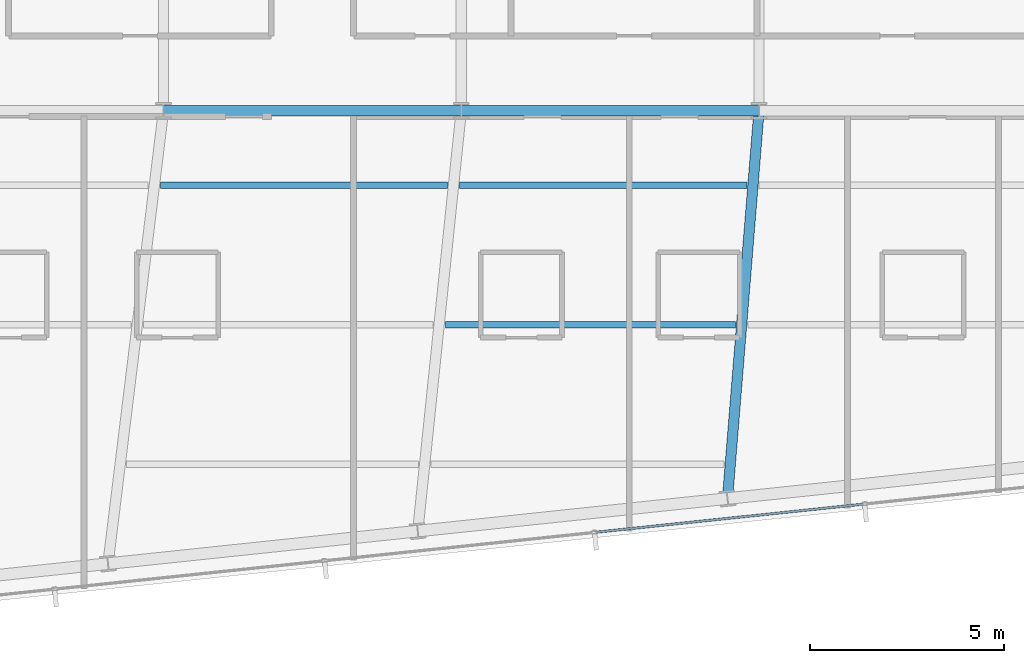
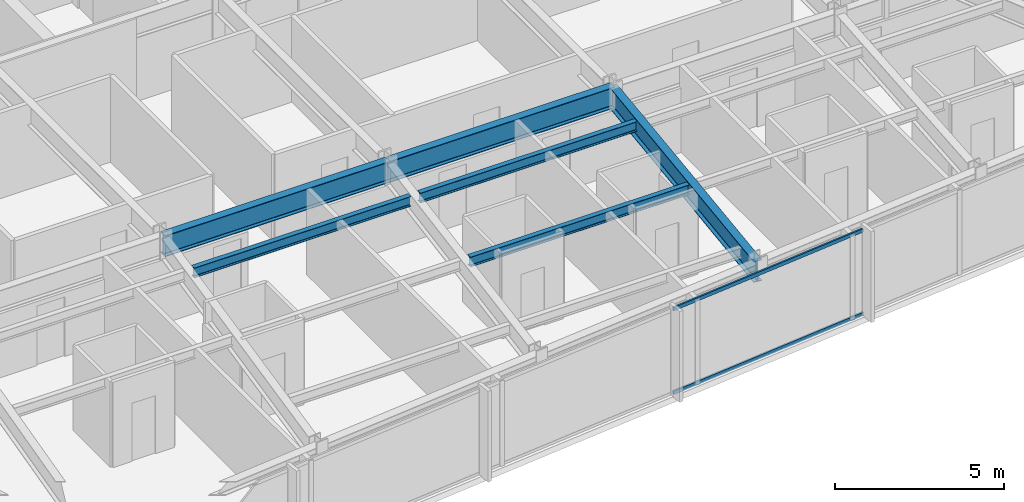
# One storey, part 9 of 33: 6 beams, 2 members, 1 element without a shape of its own.
"""IFC4 building model written with IfcOpenShell, lengths in metres."""

from ifc_helpers import new_model, si_unit, direction, frame, origin, origin_2d, place, context, subcontext, project, spatial, hollow_rectangle, i_section, extrude, material, material_profile, profile_set, type_object, element, aggregate, save


model = new_model("IFC4")

# Units and contexts
model_context = context("Model", 3, precision=1e-05, world=origin(), true_north=direction((0.0, 1.0)))
body_context = subcontext(model_context, "Body", "Model", "MODEL_VIEW")
ifc_project = project(units=[si_unit("LENGTHUNIT", "METRE"), si_unit("AREAUNIT", "SQUARE_METRE"), si_unit("VOLUMEUNIT", "CUBIC_METRE"), si_unit("PLANEANGLEUNIT", "RADIAN"), si_unit("MASSUNIT", "GRAM", prefix="KILO")], contexts=[model_context])

# Site, building, storey
site_placement = place(None, origin())
site = spatial("IfcSite", under=ifc_project, at=site_placement, CompositionType="ELEMENT")
building_placement = place(site_placement, origin())
building = spatial("IfcBuilding", under=site, at=building_placement, Name="Yelkora Congress Tower", CompositionType="ELEMENT")
storey_placement = place(building_placement, frame((0.0, 0.0, 240.800048828125)))
storey = spatial("IfcBuildingStorey", under=building, at=storey_placement, Name="L67", CompositionType="ELEMENT", Elevation=240.800048828125)

# Beams
ifc_material_1 = material(Name="Steel S355J2", Category="steel")
ifc_material_profile_1 = material_profile(ifc_material_1, i_section(OverallWidth=0.26708984375, OverallDepth=0.761962890625, WebThickness=0.014404296875, FlangeThickness=0.021484375, FilletRadius=0.01708984375, at=origin_2d()), Name="IPE 750x173")
ifc_profile_set_1 = profile_set([ifc_material_profile_1], Name="Steel S355J2")
beam_type_1 = type_object("IfcBeamType", Name="BM-GIRD-IPE750", PredefinedType="BEAM", material=ifc_profile_set_1)
beam_1_placement = place(storey_placement, frame((30.719970703125, 25.199951171875, 2.698974609375), z_axis=(1.0, 0.0, 0.0), x_axis=(0.0, 1.0, 0.0)))
element("IfcBeam", 1, at=beam_1_placement, inside=storey, type_object=beam_type_1, Name="L67 Spine Grid D Girder 3", PredefinedType="BEAM", context=body_context, shape_type="SweptSolid", body=[
    extrude(i_section(OverallWidth=0.26708984375, OverallDepth=0.761962890625, WebThickness=0.014404296875, FlangeThickness=0.021484375, FilletRadius=0.01708984375, at=origin_2d()), origin(), (0.0, 0.0, 1.0), 7.679931640625),
])
beam_2_placement = place(storey_placement, frame((38.39990234375, 25.199951171875, 2.698974609375), z_axis=(1.0, 0.0, 0.0), x_axis=(0.0, 1.0, 0.0)))
element("IfcBeam", 2, at=beam_2_placement, inside=storey, type_object=beam_type_1, Name="L67 Spine Grid D Girder 4", PredefinedType="BEAM", context=body_context, shape_type="SweptSolid", body=[
    extrude(i_section(OverallWidth=0.26708984375, OverallDepth=0.761962890625, WebThickness=0.014404296875, FlangeThickness=0.021484375, FilletRadius=0.01708984375, at=origin_2d()), origin(), (0.0, 0.0, 1.0), 7.68017578125),
])
beam_3_placement = place(storey_placement, frame((45.26708984375, 15.197509765625, 2.698974609375), z_axis=(0.081011831965, 0.996713139816, 0.0), x_axis=(-0.996713139816, 0.081011831965, 0.0)))
element("IfcBeam", 3, at=beam_3_placement, inside=storey, type_object=beam_type_1, Name="L67 Primary Frame Girder S04", PredefinedType="BEAM", context=body_context, shape_type="SweptSolid", body=[
    extrude(i_section(OverallWidth=0.26708984375, OverallDepth=0.761962890625, WebThickness=0.014404296875, FlangeThickness=0.021484375, FilletRadius=0.01708984375, at=origin_2d()), origin(), (0.0, 0.0, 1.0), 10.035400390625),
])
ifc_material_profile_2 = material_profile(ifc_material_1, i_section(OverallWidth=0.169921875, OverallDepth=0.360107421875, WebThickness=0.008056640625, FlangeThickness=0.0126953125, FilletRadius=0.01806640625, at=origin_2d()), Name="IPE 360")
ifc_profile_set_2 = profile_set([ifc_material_profile_2], Name="Steel S355J2")
beam_type_2 = type_object("IfcBeamType", Name="BM-JOIST-IPE360", PredefinedType="JOIST", material=ifc_profile_set_2)
beam_4_placement = place(storey_placement, frame((37.988525390625, 19.678466796875, 2.89990234375), z_axis=(1.0, 0.0, 0.0), x_axis=(0.0, 1.0, 0.0)))
element("IfcBeam", 4, at=beam_4_placement, inside=storey, type_object=beam_type_2, Name="L67 Composite Floor Joist 5", PredefinedType="JOIST", context=body_context, shape_type="SweptSolid", body=[
    extrude(i_section(OverallWidth=0.169921875, OverallDepth=0.360107421875, WebThickness=0.008056640625, FlangeThickness=0.0126953125, FilletRadius=0.01806640625, at=origin_2d()), origin(), (0.0, 0.0, 1.0), 7.482666015625),
])
beam_5_placement = place(storey_placement, frame((30.64453125, 23.278564453125, 2.89990234375), z_axis=(1.0, 0.0, 0.0), x_axis=(0.0, 1.0, 0.0)))
element("IfcBeam", 5, at=beam_5_placement, inside=storey, type_object=beam_type_2, Name="L67 Composite Floor Joist 10", PredefinedType="JOIST", context=body_context, shape_type="SweptSolid", body=[
    extrude(i_section(OverallWidth=0.169921875, OverallDepth=0.360107421875, WebThickness=0.008056640625, FlangeThickness=0.0126953125, FilletRadius=0.01806640625, at=origin_2d()), origin(), (0.0, 0.0, 1.0), 7.396484375),
])
beam_6_placement = place(storey_placement, frame((38.361083984375, 23.278564453125, 2.89990234375), z_axis=(1.0, 0.0, 0.0), x_axis=(0.0, 1.0, 0.0)))
element("IfcBeam", 6, at=beam_6_placement, inside=storey, type_object=beam_type_2, Name="L67 Composite Floor Joist 11", PredefinedType="JOIST", context=body_context, shape_type="SweptSolid", body=[
    extrude(i_section(OverallWidth=0.169921875, OverallDepth=0.360107421875, WebThickness=0.008056640625, FlangeThickness=0.0126953125, FilletRadius=0.01806640625, at=origin_2d()), origin(), (0.0, 0.0, 1.0), 7.40283203125),
])

# Curtain wall, members
ifc_material_2 = material(Name="Anodised aluminium and insulated glass", Category="aluminium")
curtain_wall_type = type_object("IfcCurtainWallType", Name="CW-SYS-B4", PredefinedType="NOTDEFINED", material=ifc_material_2)
curtain_wall_placement = place(storey_placement, origin())
curtain_wall = element("IfcCurtainWall", 7, at=curtain_wall_placement, inside=storey, type_object=curtain_wall_type, Name="L67 Unitised Curtain Wall 20", PredefinedType="NOTDEFINED")
ifc_material_3 = material(Name="Anodised aluminium 6063-T6", Category="aluminium")
ifc_material_profile_3 = material_profile(ifc_material_3, hollow_rectangle(XDim=0.06005859375, YDim=0.1298828125, WallThickness=0.00390625, at=origin_2d()), Name="ALU 60x130x4")
ifc_profile_set_3 = profile_set([ifc_material_profile_3], Name="Anodised aluminium 6063-T6")
member_type = type_object("IfcMemberType", Name="MEM-TR-B4", PredefinedType="USERDEFINED", material=ifc_profile_set_3)
member_1_placement = place(storey_placement, frame((48.770263671875, 15.052978515625, 0.030029296875), z_axis=(-0.99452356298, -0.104512595784, 0.0), x_axis=(0.104512595784, -0.99452356298, 0.0)))
member_1 = element("IfcMember", 8, at=member_1_placement, type_object=member_type, Name="CW-B4 transom 4.1", ObjectType="TRANSOM", PredefinedType="USERDEFINED", context=body_context, shape_type="SweptSolid", body=[
    extrude(hollow_rectangle(XDim=0.06005859375, YDim=0.1298828125, WallThickness=0.00390625, at=origin_2d()), origin(), (0.0, 0.0, 1.0), 6.93798828125),
])
member_2_placement = place(storey_placement, frame((48.770263671875, 15.052978515625, 3.050048828125), z_axis=(-0.99452356298, -0.104512595784, 0.0), x_axis=(0.104512595784, -0.99452356298, 0.0)))
member_2 = element("IfcMember", 9, at=member_2_placement, type_object=member_type, Name="CW-B4 transom 4.2", ObjectType="TRANSOM", PredefinedType="USERDEFINED", context=body_context, shape_type="SweptSolid", body=[
    extrude(hollow_rectangle(XDim=0.06005859375, YDim=0.1298828125, WallThickness=0.00390625, at=origin_2d()), origin(), (0.0, 0.0, 1.0), 6.93798828125),
])
aggregate(curtain_wall, [member_1, member_2])

save(model, "model.ifc")
